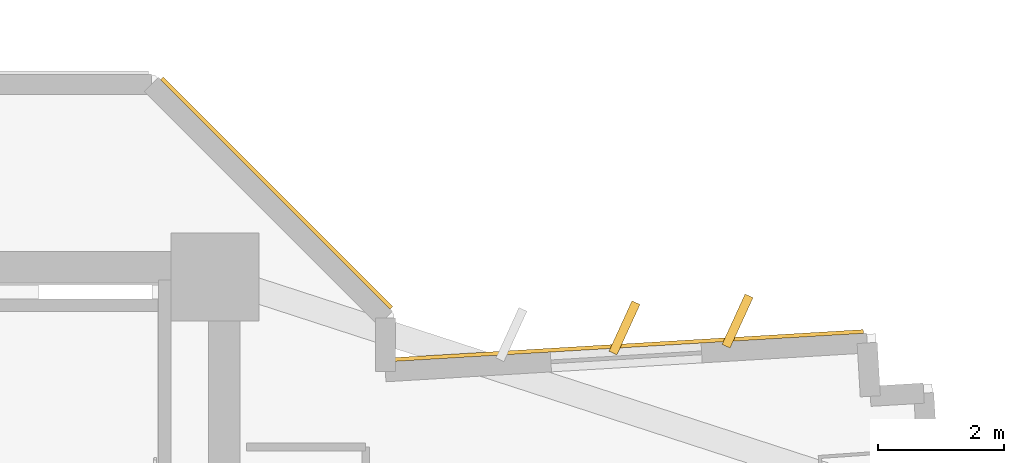
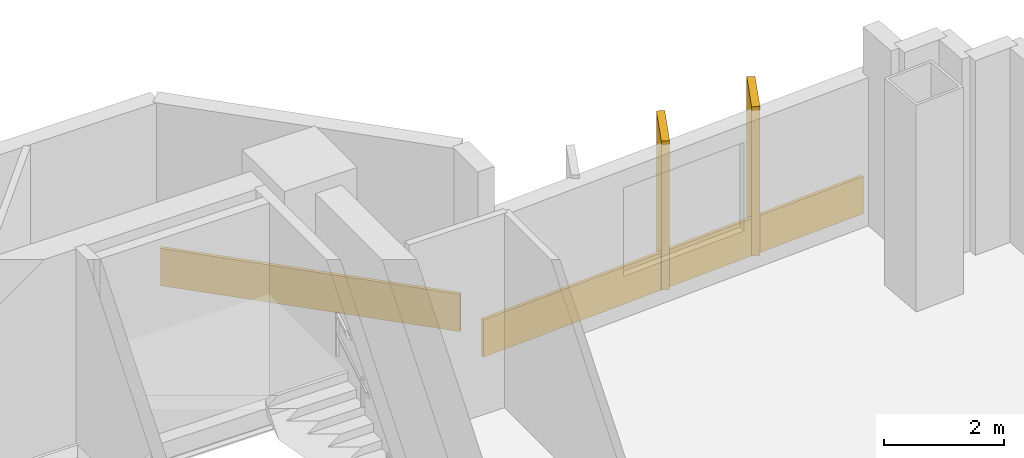
# One storey, part 15 of 15: 4 coverings.
"""IFC4 building model written with IfcOpenShell, lengths in metres."""

from ifc_helpers import new_model, si_unit, direction, frame, origin, origin_2d, place, context, subcontext, project, spatial, rectangle, extrude, source, transform, mapped, material, layer, layer_set, type_object, element, save


model = new_model("IFC4")

# Units and contexts
model_context = context("Model", 3, precision=1e-05, world=origin(), true_north=direction((0.0, 1.0)))
body_context = subcontext(model_context, "Body", "Model", "MODEL_VIEW")
ifc_project = project(units=[si_unit("LENGTHUNIT", "METRE"), si_unit("AREAUNIT", "SQUARE_METRE"), si_unit("VOLUMEUNIT", "CUBIC_METRE"), si_unit("PLANEANGLEUNIT", "RADIAN"), si_unit("MASSUNIT", "GRAM", prefix="KILO")], contexts=[model_context])

# Site, building, storey
site_placement = place(None, origin())
site = spatial("IfcSite", under=ifc_project, at=site_placement, CompositionType="ELEMENT")
building_placement = place(site_placement, origin())
building = spatial("IfcBuilding", under=site, at=building_placement, Name="Zahravan Cultural Tower", CompositionType="ELEMENT")
storey_placement = place(building_placement, frame((0.0, 0.0, 75.300048828125)))
storey = spatial("IfcBuildingStorey", under=building, at=storey_placement, Name="L16", CompositionType="ELEMENT", Elevation=75.300048828125)

# Coverings
ifc_material = material(Name="Terracotta ceramic cladding", Category="masonry")
ifc_layer = layer(ifc_material, 0.06005859375)
ifc_layer_set = layer_set([ifc_layer], Name="Terracotta ceramic cladding")
covering_type = type_object("IfcCoveringType", Name="COV-CLAD-TC60", PredefinedType="CLADDING", material=ifc_layer_set)
shared_shape_1 = source(origin(), body_context, "Body", "SweptSolid", [
    extrude(rectangle(XDim=5.157958984375, YDim=0.06005859375, at=origin_2d()), origin(), (0.0, 0.0, 1.0), 0.760009765625),
])
covering_1_placement = place(storey_placement, frame((51.331787109375, 37.53173828125, 0.02001953125), z_axis=(0.0, 0.0, 1.0), x_axis=(0.707106781187, -0.707106781187, 0.0)))
element("IfcCovering", 1, at=covering_1_placement, inside=storey, type_object=covering_type, Name="L16 Terracotta Spandrel Cladding 53", PredefinedType="CLADDING", context=body_context, shape_type="MappedRepresentation", body=[
    mapped(shared_shape_1, transform((0.0, 0.0, 0.0), x_axis=(1.0, 0.0, 0.0), y_axis=(0.0, 1.0, 0.0), z_axis=(0.0, 0.0, 1.0), scale=1.0)),
])
shared_shape_2 = source(origin(), body_context, "Body", "SweptSolid", [
    extrude(rectangle(XDim=0.8798828125, YDim=0.139892578125, at=origin_2d()), origin(), (0.0, 0.0, 1.0), 3.030029296875),
])
for number, where, z_axis, x_axis, name in (
    (2, (56.86083984375, 35.389404296875, 0.0498046875), (0.0, 0.0, 1.0), (0.41596338363, 0.909381363059, 0.0), "L16 Herringbone Terracotta Fin 02"),
    (3, (58.65771484375, 35.496826171875, 0.0498046875), (0.0, 0.0, 1.0), (0.41596338363, 0.909381363059, 0.0), "L16 Herringbone Terracotta Fin 03"),
):
    element("IfcCovering", number, at=place(storey_placement, frame(where, z_axis=z_axis, x_axis=x_axis)), inside=storey, type_object=covering_type, Name=name, PredefinedType="CLADDING", context=body_context, shape_type="MappedRepresentation", body=[
        mapped(shared_shape_2, transform((0.0, 0.0, 0.0), x_axis=(1.0, 0.0, 0.0), y_axis=(0.0, 1.0, 0.0), z_axis=(0.0, 0.0, 1.0), scale=1.0)),
    ])
shared_shape_3 = source(origin(), body_context, "Body", "SweptSolid", [
    extrude(rectangle(XDim=7.571533203125, YDim=0.06005859375, at=origin_2d()), origin(), (0.0, 0.0, 1.0), 0.760009765625),
])
covering_2_placement = place(storey_placement, frame((56.8779296875, 35.10498046875, 0.02001953125), z_axis=(0.0, 0.0, 1.0), x_axis=(0.998219065278, 0.05965482139, 0.0)))
element("IfcCovering", 4, at=covering_2_placement, inside=storey, type_object=covering_type, Name="L16 Terracotta Spandrel Cladding 01", PredefinedType="CLADDING", context=body_context, shape_type="MappedRepresentation", body=[
    mapped(shared_shape_3, transform((0.0, 0.0, 0.0), x_axis=(1.0, 0.0, 0.0), y_axis=(0.0, 1.0, 0.0), z_axis=(0.0, 0.0, 1.0), scale=1.0)),
])

save(model, "model.ifc")
